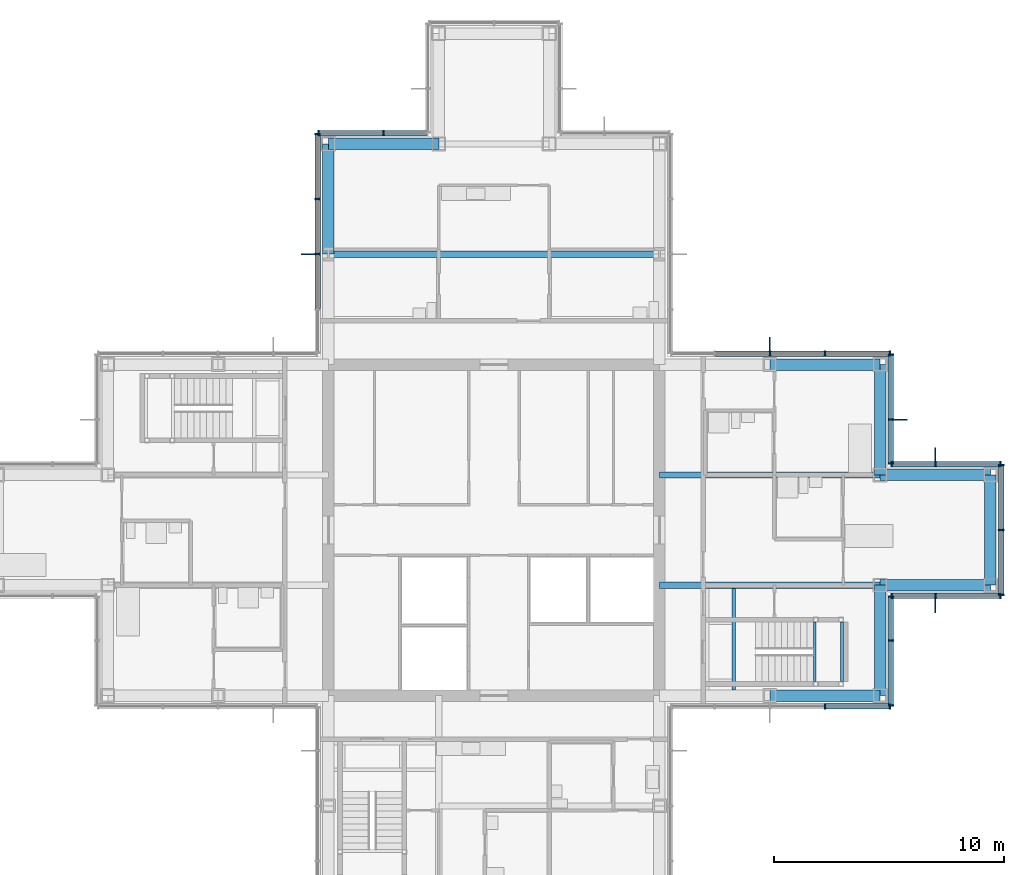
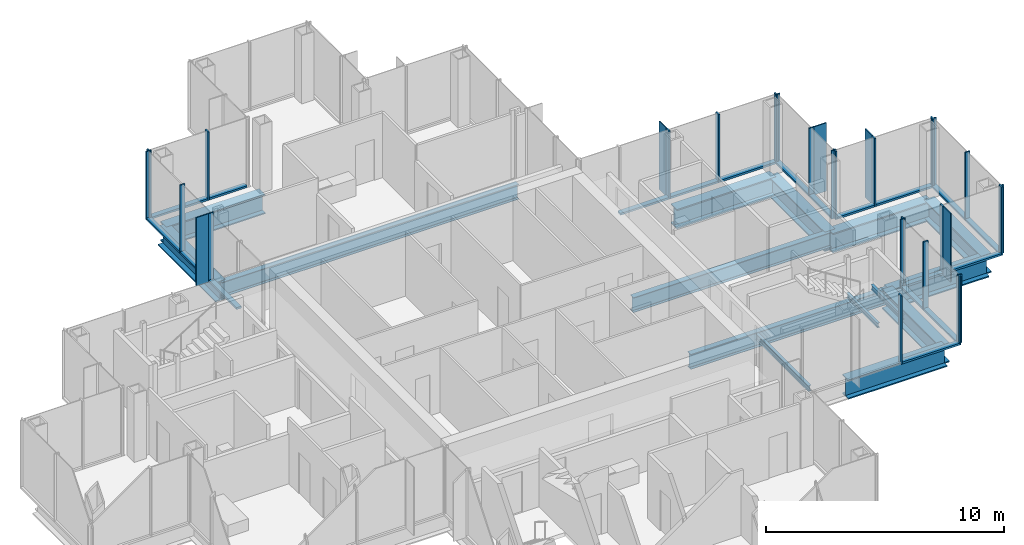
# One storey, part 8 of 17: 49 members, 15 beams, 9 elements without a shape of their own.
"""IFC4 building model written with IfcOpenShell, lengths in metres."""

from ifc_helpers import new_model, si_unit, direction, frame, origin, origin_2d, place, context, subcontext, project, spatial, rectangle, i_section, extrude, material, material_profile, profile_set, type_object, element, aggregate, save


model = new_model("IFC4")

# Units and contexts
model_context = context("Model", 3, precision=1e-05, world=origin(), true_north=direction((0.0, 1.0)))
body_context = subcontext(model_context, "Body", "Model", "MODEL_VIEW")
ifc_project = project(units=[si_unit("LENGTHUNIT", "METRE"), si_unit("AREAUNIT", "SQUARE_METRE"), si_unit("VOLUMEUNIT", "CUBIC_METRE"), si_unit("PLANEANGLEUNIT", "RADIAN"), si_unit("MASSUNIT", "GRAM", prefix="KILO")], contexts=[model_context])

# Site, building, storey
site_placement = place(None, origin())
site = spatial("IfcSite", under=ifc_project, at=site_placement, CompositionType="ELEMENT")
building_placement = place(site_placement, origin())
building = spatial("IfcBuilding", under=site, at=building_placement, Name="Kvirike Care Tower", CompositionType="ELEMENT")
storey_placement = place(building_placement, frame((0.0, 0.0, 158.5)))
storey = spatial("IfcBuildingStorey", under=building, at=storey_placement, Name="L43", CompositionType="ELEMENT", Elevation=158.5)

# Curtain wall, member
ifc_material_1 = material(Name="Anodised aluminium stick system", Category="aluminium")
curtain_wall_type = type_object("IfcCurtainWallType", Name="CW-C STICK CURTAIN WALL", PredefinedType="NOTDEFINED", material=ifc_material_1)
curtain_wall_1_placement = place(storey_placement, origin())
curtain_wall_1 = element("IfcCurtainWall", 1, at=curtain_wall_1_placement, inside=storey, type_object=curtain_wall_type, Name="Curtain wall L43 face 3", PredefinedType="NOTDEFINED")
ifc_material_2 = material(Name="Bronze anodised aluminium fin", Category="aluminium")
ifc_material_profile_1 = material_profile(ifc_material_2, rectangle(XDim=0.050048828125, YDim=0.60009765625, at=origin_2d()), Name="BRONZE FIN 600")
ifc_profile_set_1 = profile_set([ifc_material_profile_1], Name="Bronze anodised aluminium fin")
member_type_1 = type_object("IfcMemberType", Name="BRONZE FIN 600", PredefinedType="USERDEFINED", material=ifc_profile_set_1)
member_1_placement = place(storey_placement, frame((40.800048828125, 32.7099609375, 0.0), z_axis=(0.0, 0.0, 1.0), x_axis=(1.0, 0.0, 0.0)))
member_1 = element("IfcMember", 2, at=member_1_placement, type_object=member_type_1, Name="Bronze fin L43 face 3.2", ObjectType="FIN", PredefinedType="USERDEFINED", context=body_context, shape_type="SweptSolid", body=[
    extrude(rectangle(XDim=0.050048828125, YDim=0.60009765625, at=origin_2d()), origin(), (0.0, 0.0, 1.0), 3.5),
])

curtain_wall_2_placement = place(storey_placement, origin())
curtain_wall_2 = element("IfcCurtainWall", 3, at=curtain_wall_2_placement, inside=storey, type_object=curtain_wall_type, Name="Curtain wall L43 face 5", PredefinedType="NOTDEFINED")
member_2_placement = place(storey_placement, frame((40.800048828125, 39.2900390625, 0.0), z_axis=(0.0, 0.0, 1.0), x_axis=(-1.0, 0.0, 0.0)))
member_2 = element("IfcMember", 4, at=member_2_placement, type_object=member_type_1, Name="Bronze fin L43 face 5.2", ObjectType="FIN", PredefinedType="USERDEFINED", context=body_context, shape_type="SweptSolid", body=[
    extrude(rectangle(XDim=0.050048828125, YDim=0.60009765625, at=origin_2d()), origin(), (0.0, 0.0, 1.0), 3.5),
])

curtain_wall_3_placement = place(storey_placement, origin())
curtain_wall_3 = element("IfcCurtainWall", 5, at=curtain_wall_3_placement, inside=storey, type_object=curtain_wall_type, Name="Curtain wall L43 face 6", PredefinedType="NOTDEFINED")
member_3_placement = place(storey_placement, frame((39.2900390625, 40.800048828125, 0.0), z_axis=(0.0, 0.0, 1.0), x_axis=(0.0, 1.0, 0.0)))
member_3 = element("IfcMember", 6, at=member_3_placement, type_object=member_type_1, Name="Bronze fin L43 face 6.2", ObjectType="FIN", PredefinedType="USERDEFINED", context=body_context, shape_type="SweptSolid", body=[
    extrude(rectangle(XDim=0.050048828125, YDim=0.60009765625, at=origin_2d()), origin(), (0.0, 0.0, 1.0), 3.5),
])

curtain_wall_4_placement = place(storey_placement, origin())
curtain_wall_4 = element("IfcCurtainWall", 7, at=curtain_wall_4_placement, inside=storey, type_object=curtain_wall_type, Name="Curtain wall L43 face 7", PredefinedType="NOTDEFINED")
member_4_placement = place(storey_placement, frame((33.60009765625, 44.090087890625, 0.0), z_axis=(0.0, 0.0, 1.0), x_axis=(-1.0, 0.0, 0.0)))
member_4 = element("IfcMember", 8, at=member_4_placement, type_object=member_type_1, Name="Bronze fin L43 face 7.3", ObjectType="FIN", PredefinedType="USERDEFINED", context=body_context, shape_type="SweptSolid", body=[
    extrude(rectangle(XDim=0.050048828125, YDim=0.60009765625, at=origin_2d()), origin(), (0.0, 0.0, 1.0), 3.5),
])

curtain_wall_5_placement = place(storey_placement, origin())
curtain_wall_5 = element("IfcCurtainWall", 9, at=curtain_wall_5_placement, inside=storey, type_object=curtain_wall_type, Name="Curtain wall L43 face 14", PredefinedType="NOTDEFINED")
member_5_placement = place(storey_placement, frame((13.510009765625, 48.0, 0.0), z_axis=(0.0, 0.0, 1.0), x_axis=(0.0, -1.0, 0.0)))
member_5 = element("IfcMember", 10, at=member_5_placement, type_object=member_type_1, Name="Bronze fin L43 face 14.3", ObjectType="FIN", PredefinedType="USERDEFINED", context=body_context, shape_type="SweptSolid", body=[
    extrude(rectangle(XDim=0.050048828125, YDim=0.60009765625, at=origin_2d()), origin(), (0.0, 0.0, 1.0), 3.5),
])

# Curtain wall, members
curtain_wall_6_placement = place(storey_placement, origin())
curtain_wall_6 = element("IfcCurtainWall", 11, at=curtain_wall_6_placement, inside=storey, type_object=curtain_wall_type, Name="Curtain wall L43 face 1", PredefinedType="NOTDEFINED")
ifc_material_3 = material(Name="Bronze anodised aluminium mullion", Category="aluminium")
ifc_material_profile_2 = material_profile(ifc_material_3, rectangle(XDim=0.06494140625, YDim=0.239990234375, at=origin_2d()), Name="CW-C MULLION 65x240")
ifc_profile_set_2 = profile_set([ifc_material_profile_2], Name="Bronze anodised aluminium mullion")
member_type_2 = type_object("IfcMemberType", Name="CW-C MULLION 65x240", PredefinedType="MULLION", material=ifc_profile_set_2)
member_6_placement = place(storey_placement, frame((36.0, 28.330078125, 0.0), z_axis=(0.0, 0.0, 1.0), x_axis=(1.0, 0.0, 0.0)))
member_6 = element("IfcMember", 12, at=member_6_placement, type_object=member_type_2, Name="CW-C mullion L43 face 1.4", PredefinedType="MULLION", context=body_context, shape_type="SweptSolid", body=[
    extrude(rectangle(XDim=0.06494140625, YDim=0.239990234375, at=origin_2d()), origin(), (0.0, 0.0, 1.0), 3.5),
])
member_7_placement = place(storey_placement, frame((38.83740234375, 28.330078125, 0.0), z_axis=(0.0, 0.0, 1.0), x_axis=(1.0, 0.0, 0.0)))
member_7 = element("IfcMember", 13, at=member_7_placement, type_object=member_type_2, Name="CW-C mullion L43 face 1.5", PredefinedType="MULLION", context=body_context, shape_type="SweptSolid", body=[
    extrude(rectangle(XDim=0.06494140625, YDim=0.239990234375, at=origin_2d()), origin(), (0.0, 0.0, 1.0), 3.5),
])

curtain_wall_7_placement = place(storey_placement, origin())
curtain_wall_7 = element("IfcCurtainWall", 14, at=curtain_wall_7_placement, inside=storey, type_object=curtain_wall_type, Name="Curtain wall L43 face 2", PredefinedType="NOTDEFINED")
member_8_placement = place(storey_placement, frame((38.8701171875, 28.362548828125, 0.0), z_axis=(0.0, 0.0, 1.0), x_axis=(0.0, 1.0, 0.0)))
member_8 = element("IfcMember", 15, at=member_8_placement, type_object=member_type_2, Name="CW-C mullion L43 face 2.1", PredefinedType="MULLION", context=body_context, shape_type="SweptSolid", body=[
    extrude(rectangle(XDim=0.06494140625, YDim=0.239990234375, at=origin_2d()), origin(), (0.0, 0.0, 1.0), 3.5),
])
member_9_placement = place(storey_placement, frame((38.8701171875, 31.199951171875, 0.0), z_axis=(0.0, 0.0, 1.0), x_axis=(0.0, 1.0, 0.0)))
member_9 = element("IfcMember", 16, at=member_9_placement, type_object=member_type_2, Name="CW-C mullion L43 face 2.2", PredefinedType="MULLION", context=body_context, shape_type="SweptSolid", body=[
    extrude(rectangle(XDim=0.06494140625, YDim=0.239990234375, at=origin_2d()), origin(), (0.0, 0.0, 1.0), 3.5),
])
member_10_placement = place(storey_placement, frame((38.8701171875, 33.097412109375, 0.0), z_axis=(0.0, 0.0, 1.0), x_axis=(0.0, 1.0, 0.0)))
member_10 = element("IfcMember", 17, at=member_10_placement, type_object=member_type_2, Name="CW-C mullion L43 face 2.3", PredefinedType="MULLION", context=body_context, shape_type="SweptSolid", body=[
    extrude(rectangle(XDim=0.06494140625, YDim=0.239990234375, at=origin_2d()), origin(), (0.0, 0.0, 1.0), 3.5),
])

# Member
member_11_placement = place(storey_placement, frame((38.902587890625, 33.1298828125, 0.0), z_axis=(0.0, 0.0, 1.0), x_axis=(1.0, 0.0, 0.0)))
member_11 = element("IfcMember", 18, at=member_11_placement, type_object=member_type_2, Name="CW-C mullion L43 face 3.1", PredefinedType="MULLION", context=body_context, shape_type="SweptSolid", body=[
    extrude(rectangle(XDim=0.06494140625, YDim=0.239990234375, at=origin_2d()), origin(), (0.0, 0.0, 1.0), 3.5),
])

member_12_placement = place(storey_placement, frame((40.800048828125, 33.1298828125, 0.0), z_axis=(0.0, 0.0, 1.0), x_axis=(1.0, 0.0, 0.0)))
member_12 = element("IfcMember", 19, at=member_12_placement, type_object=member_type_2, Name="CW-C mullion L43 face 3.2", PredefinedType="MULLION", context=body_context, shape_type="SweptSolid", body=[
    extrude(rectangle(XDim=0.06494140625, YDim=0.239990234375, at=origin_2d()), origin(), (0.0, 0.0, 1.0), 3.5),
])

member_13_placement = place(storey_placement, frame((43.637451171875, 33.1298828125, 0.0), z_axis=(0.0, 0.0, 1.0), x_axis=(1.0, 0.0, 0.0)))
member_13 = element("IfcMember", 20, at=member_13_placement, type_object=member_type_2, Name="CW-C mullion L43 face 3.3", PredefinedType="MULLION", context=body_context, shape_type="SweptSolid", body=[
    extrude(rectangle(XDim=0.06494140625, YDim=0.239990234375, at=origin_2d()), origin(), (0.0, 0.0, 1.0), 3.5),
])

# Curtain wall, members
curtain_wall_8_placement = place(storey_placement, origin())
curtain_wall_8 = element("IfcCurtainWall", 21, at=curtain_wall_8_placement, inside=storey, type_object=curtain_wall_type, Name="Curtain wall L43 face 4", PredefinedType="NOTDEFINED")
member_14_placement = place(storey_placement, frame((43.669921875, 33.16259765625, 0.0), z_axis=(0.0, 0.0, 1.0), x_axis=(0.0, 1.0, 0.0)))
member_14 = element("IfcMember", 22, at=member_14_placement, type_object=member_type_2, Name="CW-C mullion L43 face 4.1", PredefinedType="MULLION", context=body_context, shape_type="SweptSolid", body=[
    extrude(rectangle(XDim=0.06494140625, YDim=0.239990234375, at=origin_2d()), origin(), (0.0, 0.0, 1.0), 3.5),
])
member_15_placement = place(storey_placement, frame((43.669921875, 36.0, 0.0), z_axis=(0.0, 0.0, 1.0), x_axis=(0.0, 1.0, 0.0)))
member_15 = element("IfcMember", 23, at=member_15_placement, type_object=member_type_2, Name="CW-C mullion L43 face 4.2", PredefinedType="MULLION", context=body_context, shape_type="SweptSolid", body=[
    extrude(rectangle(XDim=0.06494140625, YDim=0.239990234375, at=origin_2d()), origin(), (0.0, 0.0, 1.0), 3.5),
])
member_16_placement = place(storey_placement, frame((43.669921875, 38.83740234375, 0.0), z_axis=(0.0, 0.0, 1.0), x_axis=(0.0, 1.0, 0.0)))
member_16 = element("IfcMember", 24, at=member_16_placement, type_object=member_type_2, Name="CW-C mullion L43 face 4.3", PredefinedType="MULLION", context=body_context, shape_type="SweptSolid", body=[
    extrude(rectangle(XDim=0.06494140625, YDim=0.239990234375, at=origin_2d()), origin(), (0.0, 0.0, 1.0), 3.5),
])

# Member
member_17_placement = place(storey_placement, frame((43.637451171875, 38.8701171875, 0.0), z_axis=(0.0, 0.0, 1.0), x_axis=(-1.0, 0.0, 0.0)))
member_17 = element("IfcMember", 25, at=member_17_placement, type_object=member_type_2, Name="CW-C mullion L43 face 5.1", PredefinedType="MULLION", context=body_context, shape_type="SweptSolid", body=[
    extrude(rectangle(XDim=0.06494140625, YDim=0.239990234375, at=origin_2d()), origin(), (0.0, 0.0, 1.0), 3.5),
])

member_18_placement = place(storey_placement, frame((40.800048828125, 38.8701171875, 0.0), z_axis=(0.0, 0.0, 1.0), x_axis=(-1.0, 0.0, 0.0)))
member_18 = element("IfcMember", 26, at=member_18_placement, type_object=member_type_2, Name="CW-C mullion L43 face 5.2", PredefinedType="MULLION", context=body_context, shape_type="SweptSolid", body=[
    extrude(rectangle(XDim=0.06494140625, YDim=0.239990234375, at=origin_2d()), origin(), (0.0, 0.0, 1.0), 3.5),
])

member_19_placement = place(storey_placement, frame((38.902587890625, 38.8701171875, 0.0), z_axis=(0.0, 0.0, 1.0), x_axis=(-1.0, 0.0, 0.0)))
member_19 = element("IfcMember", 27, at=member_19_placement, type_object=member_type_2, Name="CW-C mullion L43 face 5.3", PredefinedType="MULLION", context=body_context, shape_type="SweptSolid", body=[
    extrude(rectangle(XDim=0.06494140625, YDim=0.239990234375, at=origin_2d()), origin(), (0.0, 0.0, 1.0), 3.5),
])

member_20_placement = place(storey_placement, frame((38.8701171875, 38.902587890625, 0.0), z_axis=(0.0, 0.0, 1.0), x_axis=(0.0, 1.0, 0.0)))
member_20 = element("IfcMember", 28, at=member_20_placement, type_object=member_type_2, Name="CW-C mullion L43 face 6.1", PredefinedType="MULLION", context=body_context, shape_type="SweptSolid", body=[
    extrude(rectangle(XDim=0.06494140625, YDim=0.239990234375, at=origin_2d()), origin(), (0.0, 0.0, 1.0), 3.5),
])

member_21_placement = place(storey_placement, frame((38.8701171875, 40.800048828125, 0.0), z_axis=(0.0, 0.0, 1.0), x_axis=(0.0, 1.0, 0.0)))
member_21 = element("IfcMember", 29, at=member_21_placement, type_object=member_type_2, Name="CW-C mullion L43 face 6.2", PredefinedType="MULLION", context=body_context, shape_type="SweptSolid", body=[
    extrude(rectangle(XDim=0.06494140625, YDim=0.239990234375, at=origin_2d()), origin(), (0.0, 0.0, 1.0), 3.5),
])

member_22_placement = place(storey_placement, frame((38.8701171875, 43.637451171875, 0.0), z_axis=(0.0, 0.0, 1.0), x_axis=(0.0, 1.0, 0.0)))
member_22 = element("IfcMember", 30, at=member_22_placement, type_object=member_type_2, Name="CW-C mullion L43 face 6.3", PredefinedType="MULLION", context=body_context, shape_type="SweptSolid", body=[
    extrude(rectangle(XDim=0.06494140625, YDim=0.239990234375, at=origin_2d()), origin(), (0.0, 0.0, 1.0), 3.5),
])

member_23_placement = place(storey_placement, frame((38.83740234375, 43.669921875, 0.0), z_axis=(0.0, 0.0, 1.0), x_axis=(-1.0, 0.0, 0.0)))
member_23 = element("IfcMember", 31, at=member_23_placement, type_object=member_type_2, Name="CW-C mullion L43 face 7.1", PredefinedType="MULLION", context=body_context, shape_type="SweptSolid", body=[
    extrude(rectangle(XDim=0.06494140625, YDim=0.239990234375, at=origin_2d()), origin(), (0.0, 0.0, 1.0), 3.5),
])

member_24_placement = place(storey_placement, frame((36.0, 43.669921875, 0.0), z_axis=(0.0, 0.0, 1.0), x_axis=(-1.0, 0.0, 0.0)))
member_24 = element("IfcMember", 32, at=member_24_placement, type_object=member_type_2, Name="CW-C mullion L43 face 7.2", PredefinedType="MULLION", context=body_context, shape_type="SweptSolid", body=[
    extrude(rectangle(XDim=0.06494140625, YDim=0.239990234375, at=origin_2d()), origin(), (0.0, 0.0, 1.0), 3.5),
])

member_25_placement = place(storey_placement, frame((33.60009765625, 43.669921875, 0.0), z_axis=(0.0, 0.0, 1.0), x_axis=(-1.0, 0.0, 0.0)))
member_25 = element("IfcMember", 33, at=member_25_placement, type_object=member_type_2, Name="CW-C mullion L43 face 7.3", PredefinedType="MULLION", context=body_context, shape_type="SweptSolid", body=[
    extrude(rectangle(XDim=0.06494140625, YDim=0.239990234375, at=origin_2d()), origin(), (0.0, 0.0, 1.0), 3.5),
])

# Curtain wall, members
curtain_wall_9_placement = place(storey_placement, origin())
curtain_wall_9 = element("IfcCurtainWall", 34, at=curtain_wall_9_placement, inside=storey, type_object=curtain_wall_type, Name="Curtain wall L43 face 13", PredefinedType="NOTDEFINED")
member_26_placement = place(storey_placement, frame((16.800048828125, 53.27001953125, 0.0), z_axis=(0.0, 0.0, 1.0), x_axis=(-1.0, 0.0, 0.0)))
member_26 = element("IfcMember", 35, at=member_26_placement, type_object=member_type_2, Name="CW-C mullion L43 face 13.2", PredefinedType="MULLION", context=body_context, shape_type="SweptSolid", body=[
    extrude(rectangle(XDim=0.06494140625, YDim=0.239990234375, at=origin_2d()), origin(), (0.0, 0.0, 1.0), 3.5),
])
member_27_placement = place(storey_placement, frame((13.96240234375, 53.27001953125, 0.0), z_axis=(0.0, 0.0, 1.0), x_axis=(-1.0, 0.0, 0.0)))
member_27 = element("IfcMember", 36, at=member_27_placement, type_object=member_type_2, Name="CW-C mullion L43 face 13.3", PredefinedType="MULLION", context=body_context, shape_type="SweptSolid", body=[
    extrude(rectangle(XDim=0.06494140625, YDim=0.239990234375, at=origin_2d()), origin(), (0.0, 0.0, 1.0), 3.5),
])

# Member
member_28_placement = place(storey_placement, frame((13.929931640625, 53.237548828125, 0.0), z_axis=(0.0, 0.0, 1.0), x_axis=(0.0, -1.0, 0.0)))
member_28 = element("IfcMember", 37, at=member_28_placement, type_object=member_type_2, Name="CW-C mullion L43 face 14.1", PredefinedType="MULLION", context=body_context, shape_type="SweptSolid", body=[
    extrude(rectangle(XDim=0.06494140625, YDim=0.239990234375, at=origin_2d()), origin(), (0.0, 0.0, 1.0), 3.5),
])

member_29_placement = place(storey_placement, frame((13.929931640625, 50.39990234375, 0.0), z_axis=(0.0, 0.0, 1.0), x_axis=(0.0, -1.0, 0.0)))
member_29 = element("IfcMember", 38, at=member_29_placement, type_object=member_type_2, Name="CW-C mullion L43 face 14.2", PredefinedType="MULLION", context=body_context, shape_type="SweptSolid", body=[
    extrude(rectangle(XDim=0.06494140625, YDim=0.239990234375, at=origin_2d()), origin(), (0.0, 0.0, 1.0), 3.5),
])

member_30_placement = place(storey_placement, frame((13.929931640625, 48.0, 0.0), z_axis=(0.0, 0.0, 1.0), x_axis=(0.0, -1.0, 0.0)))
member_30 = element("IfcMember", 39, at=member_30_placement, type_object=member_type_2, Name="CW-C mullion L43 face 14.3", PredefinedType="MULLION", context=body_context, shape_type="SweptSolid", body=[
    extrude(rectangle(XDim=0.06494140625, YDim=0.239990234375, at=origin_2d()), origin(), (0.0, 0.0, 1.0), 3.5),
])

ifc_material_4 = material(Name="Bronze anodised aluminium transom", Category="aluminium")
ifc_material_profile_3 = material_profile(ifc_material_4, rectangle(XDim=0.239990234375, YDim=0.10009765625, at=origin_2d()), Name="CW-C TRANSOM 240x100")
ifc_profile_set_3 = profile_set([ifc_material_profile_3], Name="Bronze anodised aluminium transom")
member_type_3 = type_object("IfcMemberType", Name="CW-C TRANSOM 240x100", PredefinedType="USERDEFINED", material=ifc_profile_set_3)
member_31_placement = place(storey_placement, frame((36.032470703125, 28.330078125, 0.050048828125), z_axis=(1.0, 0.0, 0.0), x_axis=(0.0, 1.0, 0.0)))
member_31 = element("IfcMember", 40, at=member_31_placement, type_object=member_type_3, Name="CW-C sill transom L43 face 1.4", ObjectType="TRANSOM", PredefinedType="USERDEFINED", context=body_context, shape_type="SweptSolid", body=[
    extrude(rectangle(XDim=0.239990234375, YDim=0.10009765625, at=origin_2d()), origin(), (0.0, 0.0, 1.0), 2.7724609375),
])

aggregate(curtain_wall_6, [member_6, member_7, member_31])

member_32_placement = place(storey_placement, frame((38.8701171875, 28.39501953125, 0.050048828125), z_axis=(0.0, 1.0, 0.0), x_axis=(-1.0, 0.0, 0.0)))
member_32 = element("IfcMember", 41, at=member_32_placement, type_object=member_type_3, Name="CW-C sill transom L43 face 2.1", ObjectType="TRANSOM", PredefinedType="USERDEFINED", context=body_context, shape_type="SweptSolid", body=[
    extrude(rectangle(XDim=0.239990234375, YDim=0.10009765625, at=origin_2d()), origin(), (0.0, 0.0, 1.0), 2.7724609375),
])

member_33_placement = place(storey_placement, frame((38.8701171875, 31.232421875, 0.050048828125), z_axis=(0.0, 1.0, 0.0), x_axis=(-1.0, 0.0, 0.0)))
member_33 = element("IfcMember", 42, at=member_33_placement, type_object=member_type_3, Name="CW-C sill transom L43 face 2.2", ObjectType="TRANSOM", PredefinedType="USERDEFINED", context=body_context, shape_type="SweptSolid", body=[
    extrude(rectangle(XDim=0.239990234375, YDim=0.10009765625, at=origin_2d()), origin(), (0.0, 0.0, 1.0), 1.83251953125),
])

aggregate(curtain_wall_7, [member_8, member_9, member_10, member_32, member_33])

member_34_placement = place(storey_placement, frame((38.93505859375, 33.1298828125, 0.050048828125), z_axis=(1.0, 0.0, 0.0), x_axis=(0.0, 1.0, 0.0)))
member_34 = element("IfcMember", 43, at=member_34_placement, type_object=member_type_3, Name="CW-C sill transom L43 face 3.1", ObjectType="TRANSOM", PredefinedType="USERDEFINED", context=body_context, shape_type="SweptSolid", body=[
    extrude(rectangle(XDim=0.239990234375, YDim=0.10009765625, at=origin_2d()), origin(), (0.0, 0.0, 1.0), 1.83251953125),
])

member_35_placement = place(storey_placement, frame((40.83251953125, 33.1298828125, 0.050048828125), z_axis=(1.0, 0.0, 0.0), x_axis=(0.0, 1.0, 0.0)))
member_35 = element("IfcMember", 44, at=member_35_placement, type_object=member_type_3, Name="CW-C sill transom L43 face 3.2", ObjectType="TRANSOM", PredefinedType="USERDEFINED", context=body_context, shape_type="SweptSolid", body=[
    extrude(rectangle(XDim=0.239990234375, YDim=0.10009765625, at=origin_2d()), origin(), (0.0, 0.0, 1.0), 2.7724609375),
])

aggregate(curtain_wall_1, [member_11, member_12, member_1, member_13, member_34, member_35])

member_36_placement = place(storey_placement, frame((43.669921875, 33.195068359375, 0.050048828125), z_axis=(0.0, 1.0, 0.0), x_axis=(-1.0, 0.0, 0.0)))
member_36 = element("IfcMember", 45, at=member_36_placement, type_object=member_type_3, Name="CW-C sill transom L43 face 4.1", ObjectType="TRANSOM", PredefinedType="USERDEFINED", context=body_context, shape_type="SweptSolid", body=[
    extrude(rectangle(XDim=0.239990234375, YDim=0.10009765625, at=origin_2d()), origin(), (0.0, 0.0, 1.0), 2.7724609375),
])

member_37_placement = place(storey_placement, frame((43.669921875, 36.032470703125, 0.050048828125), z_axis=(0.0, 1.0, 0.0), x_axis=(-1.0, 0.0, 0.0)))
member_37 = element("IfcMember", 46, at=member_37_placement, type_object=member_type_3, Name="CW-C sill transom L43 face 4.2", ObjectType="TRANSOM", PredefinedType="USERDEFINED", context=body_context, shape_type="SweptSolid", body=[
    extrude(rectangle(XDim=0.239990234375, YDim=0.10009765625, at=origin_2d()), origin(), (0.0, 0.0, 1.0), 2.7724609375),
])

aggregate(curtain_wall_8, [member_14, member_15, member_16, member_36, member_37])

member_38_placement = place(storey_placement, frame((43.60498046875, 38.8701171875, 0.050048828125), z_axis=(-1.0, 0.0, 0.0), x_axis=(0.0, -1.0, 0.0)))
member_38 = element("IfcMember", 47, at=member_38_placement, type_object=member_type_3, Name="CW-C sill transom L43 face 5.1", ObjectType="TRANSOM", PredefinedType="USERDEFINED", context=body_context, shape_type="SweptSolid", body=[
    extrude(rectangle(XDim=0.239990234375, YDim=0.10009765625, at=origin_2d()), origin(), (0.0, 0.0, 1.0), 2.7724609375),
])

member_39_placement = place(storey_placement, frame((40.767578125, 38.8701171875, 0.050048828125), z_axis=(-1.0, 0.0, 0.0), x_axis=(0.0, -1.0, 0.0)))
member_39 = element("IfcMember", 48, at=member_39_placement, type_object=member_type_3, Name="CW-C sill transom L43 face 5.2", ObjectType="TRANSOM", PredefinedType="USERDEFINED", context=body_context, shape_type="SweptSolid", body=[
    extrude(rectangle(XDim=0.239990234375, YDim=0.10009765625, at=origin_2d()), origin(), (0.0, 0.0, 1.0), 1.83251953125),
])

aggregate(curtain_wall_2, [member_17, member_18, member_2, member_19, member_38, member_39])

member_40_placement = place(storey_placement, frame((38.8701171875, 38.93505859375, 0.050048828125), z_axis=(0.0, 1.0, 0.0), x_axis=(-1.0, 0.0, 0.0)))
member_40 = element("IfcMember", 49, at=member_40_placement, type_object=member_type_3, Name="CW-C sill transom L43 face 6.1", ObjectType="TRANSOM", PredefinedType="USERDEFINED", context=body_context, shape_type="SweptSolid", body=[
    extrude(rectangle(XDim=0.239990234375, YDim=0.10009765625, at=origin_2d()), origin(), (0.0, 0.0, 1.0), 1.83251953125),
])

member_41_placement = place(storey_placement, frame((38.8701171875, 40.83251953125, 0.050048828125), z_axis=(0.0, 1.0, 0.0), x_axis=(-1.0, 0.0, 0.0)))
member_41 = element("IfcMember", 50, at=member_41_placement, type_object=member_type_3, Name="CW-C sill transom L43 face 6.2", ObjectType="TRANSOM", PredefinedType="USERDEFINED", context=body_context, shape_type="SweptSolid", body=[
    extrude(rectangle(XDim=0.239990234375, YDim=0.10009765625, at=origin_2d()), origin(), (0.0, 0.0, 1.0), 2.7724609375),
])

aggregate(curtain_wall_3, [member_20, member_21, member_3, member_22, member_40, member_41])

member_42_placement = place(storey_placement, frame((38.804931640625, 43.669921875, 0.050048828125), z_axis=(-1.0, 0.0, 0.0), x_axis=(0.0, -1.0, 0.0)))
member_42 = element("IfcMember", 51, at=member_42_placement, type_object=member_type_3, Name="CW-C sill transom L43 face 7.1", ObjectType="TRANSOM", PredefinedType="USERDEFINED", context=body_context, shape_type="SweptSolid", body=[
    extrude(rectangle(XDim=0.239990234375, YDim=0.10009765625, at=origin_2d()), origin(), (0.0, 0.0, 1.0), 2.7724609375),
])

member_43_placement = place(storey_placement, frame((35.967529296875, 43.669921875, 0.050048828125), z_axis=(-1.0, 0.0, 0.0), x_axis=(0.0, -1.0, 0.0)))
member_43 = element("IfcMember", 52, at=member_43_placement, type_object=member_type_3, Name="CW-C sill transom L43 face 7.2", ObjectType="TRANSOM", PredefinedType="USERDEFINED", context=body_context, shape_type="SweptSolid", body=[
    extrude(rectangle(XDim=0.239990234375, YDim=0.10009765625, at=origin_2d()), origin(), (0.0, 0.0, 1.0), 2.3349609375),
])

member_44_placement = place(storey_placement, frame((33.5673828125, 43.669921875, 0.050048828125), z_axis=(-1.0, 0.0, 0.0), x_axis=(0.0, -1.0, 0.0)))
member_44 = element("IfcMember", 53, at=member_44_placement, type_object=member_type_3, Name="CW-C sill transom L43 face 7.3", ObjectType="TRANSOM", PredefinedType="USERDEFINED", context=body_context, shape_type="SweptSolid", body=[
    extrude(rectangle(XDim=0.239990234375, YDim=0.10009765625, at=origin_2d()), origin(), (0.0, 0.0, 1.0), 2.3349609375),
])

aggregate(curtain_wall_4, [member_23, member_24, member_25, member_4, member_42, member_43, member_44])

member_45_placement = place(storey_placement, frame((18.6650390625, 53.27001953125, 0.050048828125), z_axis=(-1.0, 0.0, 0.0), x_axis=(0.0, -1.0, 0.0)))
member_45 = element("IfcMember", 54, at=member_45_placement, type_object=member_type_3, Name="CW-C sill transom L43 face 13.1", ObjectType="TRANSOM", PredefinedType="USERDEFINED", context=body_context, shape_type="SweptSolid", body=[
    extrude(rectangle(XDim=0.239990234375, YDim=0.10009765625, at=origin_2d()), origin(), (0.0, 0.0, 1.0), 1.83251953125),
])

member_46_placement = place(storey_placement, frame((16.767578125, 53.27001953125, 0.050048828125), z_axis=(-1.0, 0.0, 0.0), x_axis=(0.0, -1.0, 0.0)))
member_46 = element("IfcMember", 55, at=member_46_placement, type_object=member_type_3, Name="CW-C sill transom L43 face 13.2", ObjectType="TRANSOM", PredefinedType="USERDEFINED", context=body_context, shape_type="SweptSolid", body=[
    extrude(rectangle(XDim=0.239990234375, YDim=0.10009765625, at=origin_2d()), origin(), (0.0, 0.0, 1.0), 2.7724609375),
])

aggregate(curtain_wall_9, [member_26, member_27, member_45, member_46])

member_47_placement = place(storey_placement, frame((13.929931640625, 53.205078125, 0.050048828125), z_axis=(0.0, -1.0, 0.0), x_axis=(1.0, 0.0, 0.0)))
member_47 = element("IfcMember", 56, at=member_47_placement, type_object=member_type_3, Name="CW-C sill transom L43 face 14.1", ObjectType="TRANSOM", PredefinedType="USERDEFINED", context=body_context, shape_type="SweptSolid", body=[
    extrude(rectangle(XDim=0.239990234375, YDim=0.10009765625, at=origin_2d()), origin(), (0.0, 0.0, 1.0), 2.7724609375),
])

member_48_placement = place(storey_placement, frame((13.929931640625, 50.367431640625, 0.050048828125), z_axis=(0.0, -1.0, 0.0), x_axis=(1.0, 0.0, 0.0)))
member_48 = element("IfcMember", 57, at=member_48_placement, type_object=member_type_3, Name="CW-C sill transom L43 face 14.2", ObjectType="TRANSOM", PredefinedType="USERDEFINED", context=body_context, shape_type="SweptSolid", body=[
    extrude(rectangle(XDim=0.239990234375, YDim=0.10009765625, at=origin_2d()), origin(), (0.0, 0.0, 1.0), 2.3349609375),
])

member_49_placement = place(storey_placement, frame((13.929931640625, 47.967529296875, 0.050048828125), z_axis=(0.0, -1.0, 0.0), x_axis=(1.0, 0.0, 0.0)))
member_49 = element("IfcMember", 58, at=member_49_placement, type_object=member_type_3, Name="CW-C sill transom L43 face 14.3", ObjectType="TRANSOM", PredefinedType="USERDEFINED", context=body_context, shape_type="SweptSolid", body=[
    extrude(rectangle(XDim=0.239990234375, YDim=0.10009765625, at=origin_2d()), origin(), (0.0, 0.0, 1.0), 2.3349609375),
])

aggregate(curtain_wall_5, [member_28, member_29, member_30, member_5, member_47, member_48, member_49])

# Beams
ifc_material_5 = material(Name="Steel S355", Category="steel")
ifc_material_profile_4 = material_profile(ifc_material_5, i_section(OverallWidth=0.26806640625, OverallDepth=0.77001953125, WebThickness=0.015625, FlangeThickness=0.025390625, FilletRadius=0.01708984375, at=origin_2d()), Name="IPE 750x196")
ifc_profile_set_4 = profile_set([ifc_material_profile_4], Name="Steel S355")
beam_type_1 = type_object("IfcBeamType", Name="FLOOR BEAM IPE 750x196", PredefinedType="BEAM", material=ifc_profile_set_4)
for number, where, z_axis, x_axis, name in (
    (59, (28.800048828125, 33.60009765625, -0.554931640625), (1.0, 0.0, 0.0), (0.0, 1.0, 0.0), "Floor Beam H9-H11 L43"),
    (60, (28.800048828125, 38.39990234375, -0.554931640625), (1.0, 0.0, 0.0), (0.0, 1.0, 0.0), "Floor Beam J9-J11 L43"),
):
    element("IfcBeam", number, at=place(storey_placement, frame(where, z_axis=z_axis, x_axis=x_axis)), inside=storey, type_object=beam_type_1, Name=name, PredefinedType="BEAM", context=body_context, shape_type="SweptSolid", body=[
        extrude(i_section(OverallWidth=0.26806640625, OverallDepth=0.77001953125, WebThickness=0.015625, FlangeThickness=0.025390625, FilletRadius=0.01708984375, at=origin_2d()), origin(), (0.0, 0.0, 1.0), 9.599853515625),
    ])
beam_1_placement = place(storey_placement, frame((14.39990234375, 48.0, -0.554931640625), z_axis=(1.0, 0.0, 0.0), x_axis=(0.0, 1.0, 0.0)))
element("IfcBeam", 61, at=beam_1_placement, inside=storey, type_object=beam_type_1, Name="Floor Beam L6-L9 L43", PredefinedType="BEAM", context=body_context, shape_type="SweptSolid", body=[
    extrude(i_section(OverallWidth=0.26806640625, OverallDepth=0.77001953125, WebThickness=0.015625, FlangeThickness=0.025390625, FilletRadius=0.01708984375, at=origin_2d()), origin(), (0.0, 0.0, 1.0), 14.400146484375),
])
ifc_material_6 = material(Name="Steel S355", Category="steel")
ifc_material_profile_5 = material_profile(ifc_material_6, i_section(OverallWidth=0.5, OverallDepth=1.0, WebThickness=0.030029296875, FlangeThickness=0.06005859375, at=origin_2d()), Name="PG 1000x500x30x60")
ifc_profile_set_5 = profile_set([ifc_material_profile_5], Name="Steel S355")
beam_type_2 = type_object("IfcBeamType", Name="SPANDREL PG 1000x500x30x60", PredefinedType="SPANDREL", material=ifc_profile_set_5)
beam_2_placement = place(storey_placement, frame((33.60009765625, 28.800048828125, -0.669921875), z_axis=(1.0, 0.0, 0.0), x_axis=(0.0, 1.0, 0.0)))
element("IfcBeam", 62, at=beam_2_placement, inside=storey, type_object=beam_type_2, Name="Spandrel G10-G11 L43", PredefinedType="SPANDREL", context=body_context, shape_type="SweptSolid", body=[
    extrude(i_section(OverallWidth=0.5, OverallDepth=1.0, WebThickness=0.030029296875, FlangeThickness=0.06005859375, at=origin_2d()), origin(), (0.0, 0.0, 1.0), 4.7998046875),
])
for number, where, z_axis, x_axis, name in (
    (63, (38.39990234375, 33.60009765625, -0.669921875), (1.0, 0.0, 0.0), (0.0, 1.0, 0.0), "Spandrel H11-H12 L43"),
    (64, (38.39990234375, 38.39990234375, -0.669921875), (1.0, 0.0, 0.0), (0.0, 1.0, 0.0), "Spandrel J11-J12 L43"),
):
    element("IfcBeam", number, at=place(storey_placement, frame(where, z_axis=z_axis, x_axis=x_axis)), inside=storey, type_object=beam_type_2, Name=name, PredefinedType="SPANDREL", context=body_context, shape_type="SweptSolid", body=[
        extrude(i_section(OverallWidth=0.5, OverallDepth=1.0, WebThickness=0.030029296875, FlangeThickness=0.06005859375, at=origin_2d()), origin(), (0.0, 0.0, 1.0), 4.800048828125),
    ])
beam_3_placement = place(storey_placement, frame((33.60009765625, 43.199951171875, -0.669921875), z_axis=(1.0, 0.0, 0.0), x_axis=(0.0, 1.0, 0.0)))
element("IfcBeam", 65, at=beam_3_placement, inside=storey, type_object=beam_type_2, Name="Spandrel K10-K11 L43", PredefinedType="SPANDREL", context=body_context, shape_type="SweptSolid", body=[
    extrude(i_section(OverallWidth=0.5, OverallDepth=1.0, WebThickness=0.030029296875, FlangeThickness=0.06005859375, at=origin_2d()), origin(), (0.0, 0.0, 1.0), 4.7998046875),
])
for number, where, z_axis, x_axis, name in (
    (66, (14.39990234375, 52.800048828125, -0.669921875), (1.0, 0.0, 0.0), (0.0, 1.0, 0.0), "Spandrel M6-M7 L43"),
    (67, (14.39990234375, 48.0, -0.669921875), (0.0, 1.0, 0.0), (-1.0, 0.0, 0.0), "Spandrel L6-M6 L43"),
    (68, (38.39990234375, 28.800048828125, -0.669921875), (0.0, 1.0, 0.0), (-1.0, 0.0, 0.0), "Spandrel G11-H11 L43"),
    (69, (38.39990234375, 38.39990234375, -0.669921875), (0.0, 1.0, 0.0), (-1.0, 0.0, 0.0), "Spandrel J11-K11 L43"),
):
    element("IfcBeam", number, at=place(storey_placement, frame(where, z_axis=z_axis, x_axis=x_axis)), inside=storey, type_object=beam_type_2, Name=name, PredefinedType="SPANDREL", context=body_context, shape_type="SweptSolid", body=[
        extrude(i_section(OverallWidth=0.5, OverallDepth=1.0, WebThickness=0.030029296875, FlangeThickness=0.06005859375, at=origin_2d()), origin(), (0.0, 0.0, 1.0), 4.800048828125),
    ])
beam_4_placement = place(storey_placement, frame((43.199951171875, 33.60009765625, -0.669921875), z_axis=(0.0, 1.0, 0.0), x_axis=(-1.0, 0.0, 0.0)))
element("IfcBeam", 70, at=beam_4_placement, inside=storey, type_object=beam_type_2, Name="Spandrel H12-J12 L43", PredefinedType="SPANDREL", context=body_context, shape_type="SweptSolid", body=[
    extrude(i_section(OverallWidth=0.5, OverallDepth=1.0, WebThickness=0.030029296875, FlangeThickness=0.06005859375, at=origin_2d()), origin(), (0.0, 0.0, 1.0), 4.7998046875),
])
ifc_material_7 = material(Name="Steel S355", Category="steel")
ifc_material_profile_6 = material_profile(ifc_material_7, i_section(OverallWidth=0.1201171875, OverallDepth=0.239990234375, WebThickness=0.006103515625, FlangeThickness=0.009765625, FilletRadius=0.014892578125, at=origin_2d()), Name="IPE 240")
ifc_profile_set_6 = profile_set([ifc_material_profile_6], Name="Steel S355")
beam_type_3 = type_object("IfcBeamType", Name="STAIR LANDING BEAM IPE 240", PredefinedType="BEAM", material=ifc_profile_set_6)
for number, where, z_axis, x_axis, name in (
    (71, (36.739990234375, 29.39990234375, 1.429931640625), (0.0, 1.0, 0.0), (-1.0, 0.0, 0.0), "Stair 2 landing beam back L43"),
    (72, (35.56005859375, 29.39990234375, 1.429931640625), (0.0, 1.0, 0.0), (-1.0, 0.0, 0.0), "Stair 2 landing beam front L43"),
):
    element("IfcBeam", number, at=place(storey_placement, frame(where, z_axis=z_axis, x_axis=x_axis)), inside=storey, type_object=beam_type_3, Name=name, PredefinedType="BEAM", context=body_context, shape_type="SweptSolid", body=[
        extrude(i_section(OverallWidth=0.1201171875, OverallDepth=0.239990234375, WebThickness=0.006103515625, FlangeThickness=0.009765625, FilletRadius=0.014892578125, at=origin_2d()), origin(), (0.0, 0.0, 1.0), 2.60009765625),
    ])
ifc_material_8 = material(Name="Steel S355", Category="steel")
ifc_material_profile_7 = material_profile(ifc_material_8, i_section(OverallWidth=0.14990234375, OverallDepth=0.300048828125, WebThickness=0.007080078125, FlangeThickness=0.0107421875, FilletRadius=0.014892578125, at=origin_2d()), Name="IPE 300")
ifc_profile_set_7 = profile_set([ifc_material_profile_7], Name="Steel S355")
beam_type_4 = type_object("IfcBeamType", Name="STAIR TRIMMER IPE 300", PredefinedType="BEAM", material=ifc_profile_set_7)
beam_5_placement = place(storey_placement, frame((32.02490234375, 29.050048828125, -0.35009765625), z_axis=(0.0, 1.0, 0.0), x_axis=(-1.0, 0.0, 0.0)))
element("IfcBeam", 73, at=beam_5_placement, inside=storey, type_object=beam_type_4, Name="Stair 2 trimmer 1 L43", PredefinedType="BEAM", context=body_context, shape_type="SweptSolid", body=[
    extrude(i_section(OverallWidth=0.14990234375, OverallDepth=0.300048828125, WebThickness=0.007080078125, FlangeThickness=0.0107421875, FilletRadius=0.014892578125, at=origin_2d()), origin(), (0.0, 0.0, 1.0), 4.416015625),
])

save(model, "model.ifc")
